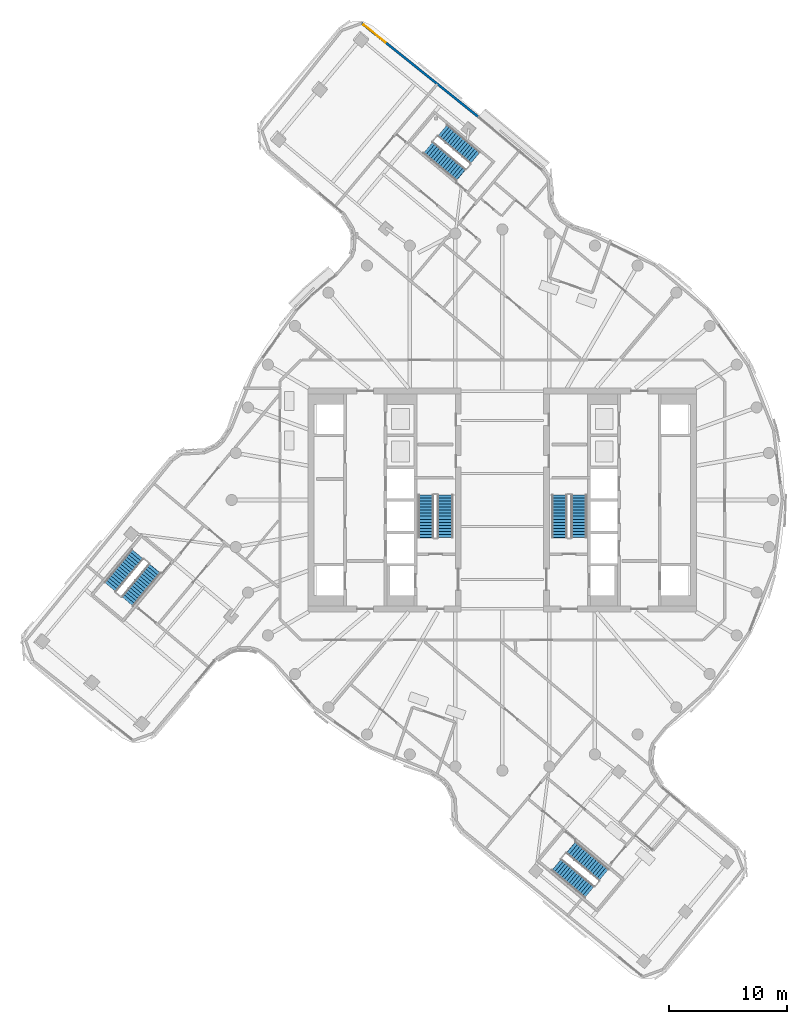
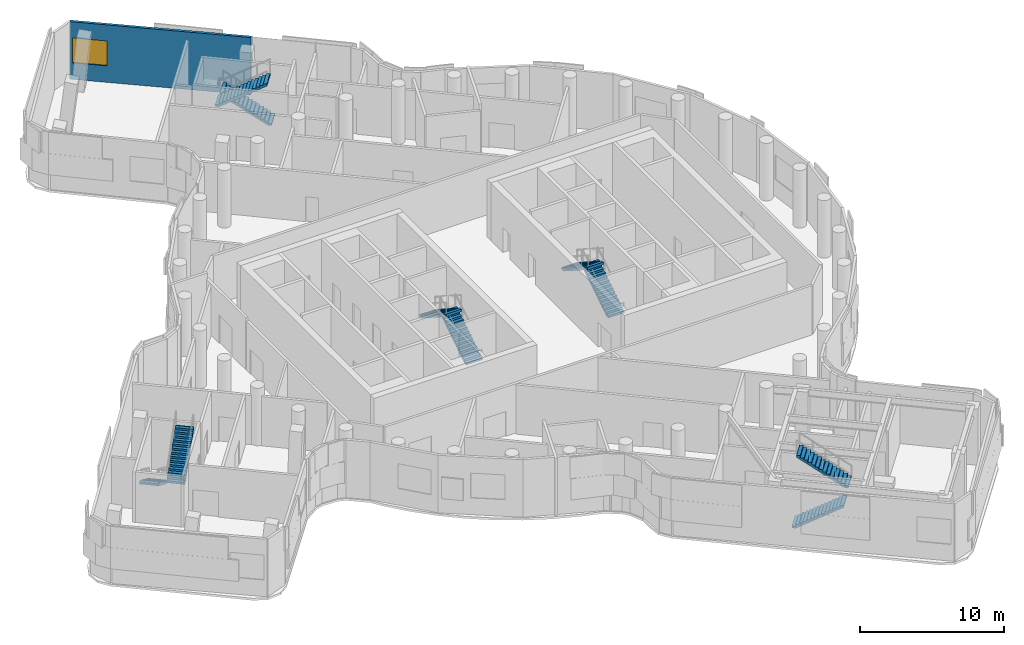
# One storey, part 12 of 19: 10 stair flights, 1 wall, 1 window, 1 opening, 5 elements without a shape of their own.
"""IFC4 building model written with IfcOpenShell, lengths in metres."""

from ifc_helpers import new_model, si_unit, direction, frame, frame_2d, origin, place, context, subcontext, project, spatial, polyline, rectangle, outline, extrude, material, layer, layer_set, type_object, element, fill, aggregate, save


model = new_model("IFC4")

# Units and contexts
model_context = context("Model", 3, precision=1e-05, world=origin(), true_north=direction((0.0, 1.0)))
body_context = subcontext(model_context, "Body", "Model", "MODEL_VIEW")
ifc_project = project(units=[si_unit("LENGTHUNIT", "METRE"), si_unit("AREAUNIT", "SQUARE_METRE"), si_unit("VOLUMEUNIT", "CUBIC_METRE"), si_unit("PLANEANGLEUNIT", "RADIAN"), si_unit("MASSUNIT", "GRAM", prefix="KILO")], contexts=[model_context])

# Site, building, storey
site_placement = place(None, origin())
site = spatial("IfcSite", under=ifc_project, at=site_placement, CompositionType="ELEMENT")
building_placement = place(site_placement, origin())
building = spatial("IfcBuilding", under=site, at=building_placement, Name="Tamarind Cross Interchange Tower", CompositionType="ELEMENT")
storey_placement = place(building_placement, frame((0.0, 0.0, 214.89990234375)))
storey = spatial("IfcBuildingStorey", under=building, at=storey_placement, Name="L54", CompositionType="ELEMENT", Elevation=214.89990234375)

# Wall, opening, window
ifc_material_1 = material(Name="Precast concrete C40", Category="concrete")
ifc_layer = layer(ifc_material_1, 0.199951171875)
ifc_layer_set = layer_set([ifc_layer], Name="Precast concrete C40")
wall_type = type_object("IfcWallType", Name="Refuge level external wall", PredefinedType="SOLIDWALL", material=ifc_layer_set)
wall_placement = place(storey_placement, frame((-2.050537109375, 32.568603515625, 0.0), z_axis=(0.0, 0.0, 1.0), x_axis=(-0.780052154806, 0.625714500218, 0.0)))
wall = element("IfcWall", 1, at=wall_placement, inside=storey, type_object=wall_type, Name="RFW-L54-07-00", PredefinedType="SOLIDWALL", context=body_context, shape_type="SweptSolid", body=[
    extrude(rectangle(XDim=12.697509765625, YDim=0.199951171875, at=frame_2d((6.3486328125, 0.0))), origin(), (0.0, 0.0, 1.0), 4.860107421875),
])
opening_placement = place(wall_placement, frame((10.09765625, 0.0, 1.39990234375)))
opening = element("IfcOpeningElement", 2, at=opening_placement, cuts=wall, Name="Opening W3", PredefinedType="OPENING", context=body_context, shape_type="SweptSolid", body=[
    extrude(rectangle(XDim=2.39990234375, YDim=2.10009765625, at=frame_2d((1.199951171875, 1.050048828125))), frame((0.0, 0.10986328125, 0.0), z_axis=(0.0, -1.0, 0.0), x_axis=(1.0, 0.0, 0.0)), (0.0, 0.0, 1.0), 0.219970703125),
])
ifc_material_2 = material(Name="Aluminium and fire-resisting glass", Category="aluminium")
window_type = type_object("IfcWindowType", Name="Refuge rescue window", PartitioningType="DOUBLE_PANEL_VERTICAL", PredefinedType="WINDOW", material=ifc_material_2)
window_placement = place(opening_placement, origin())
window = element("IfcWindow", 3, at=window_placement, inside=storey, type_object=window_type, Name="RSW-L54-07-04", OverallHeight=2.10009765625, OverallWidth=2.39990234375, PartitioningType="SINGLE_PANEL", PredefinedType="WINDOW", context=body_context, shape_type="SweptSolid", body=[
    extrude(rectangle(XDim=2.39990234375, YDim=2.10009765625, at=frame_2d((1.199951171875, 1.050048828125))), frame((0.0, 0.030029296875, 0.0), z_axis=(0.0, -1.0, 0.0), x_axis=(1.0, 0.0, 0.0)), (0.0, 0.0, 1.0), 0.06005859375),
])
fill(opening, window)

# Stair, stair flights
ifc_material_3 = material(Name="Exit stair")
stair_type = type_object("IfcStairType", Name="Exit stair", PredefinedType="HALF_TURN_STAIR", material=ifc_material_3)
stair_1_placement = place(storey_placement, origin())
stair_1 = element("IfcStair", 4, at=stair_1_placement, inside=storey, type_object=stair_type, Name="L54 exit stair ST1", PredefinedType="HALF_TURN_STAIR")
ifc_material_4 = material(Name="Exit stair flight")
stair_flight_type = type_object("IfcStairFlightType", Name="Exit stair flight", PredefinedType="STRAIGHT", material=ifc_material_4)
stair_flight_1_placement = place(storey_placement, frame((-4.85009765625, -3.199951171875, 0.0), z_axis=(0.0, 0.0, 1.0), x_axis=(0.0, 1.0, 0.0)))
stair_flight_1 = element("IfcStairFlight", 5, at=stair_flight_1_placement, type_object=stair_flight_type, Name="ST1 flight 1", NumberOfRisers=15, NumberOfTreads=14, PredefinedType="STRAIGHT", RiserHeight=0.166666667, TreadLength=0.26, context=body_context, shape_type="SweptSolid", body=[
    extrude(outline(polyline([(0.0, 0.0), (0.0, 0.166748046875), (0.260009765625, 0.166748046875), (0.260009765625, 0.333251953125), (0.52001953125, 0.333251953125), (0.52001953125, 0.5), (0.780029296875, 0.5), (0.780029296875, 0.666748046875), (1.0400390625, 0.666748046875), (1.0400390625, 0.833251953125), (1.300048828125, 0.833251953125), (1.300048828125, 1.0), (1.56005859375, 1.0), (1.56005859375, 1.166748046875), (1.820068359375, 1.166748046875), (1.820068359375, 1.333251953125), (2.080078125, 1.333251953125), (2.080078125, 1.5), (2.340087890625, 1.5), (2.340087890625, 1.666748046875), (2.60009765625, 1.666748046875), (2.60009765625, 1.833251953125), (2.860107421875, 1.833251953125), (2.860107421875, 2.0), (3.1201171875, 2.0), (3.1201171875, 2.166748046875), (3.3798828125, 2.166748046875), (3.3798828125, 2.333251953125), (3.639892578125, 2.333251953125), (3.639892578125, 2.5), (3.639892578125, 2.1552734375), (0.27783203125, 0.0), (0.0, 0.0)])), frame((0.0, 0.64990234375, 0.0), z_axis=(0.0, -1.0, 0.0), x_axis=(1.0, 0.0, 0.0)), (0.0, 0.0, 1.0), 1.300048828125),
])
stair_flight_2_placement = place(storey_placement, frame((-6.5, 0.43994140625, 2.5), z_axis=(0.0, 0.0, 1.0), x_axis=(0.0, -1.0, 0.0)))
stair_flight_2 = element("IfcStairFlight", 6, at=stair_flight_2_placement, type_object=stair_flight_type, Name="ST1 flight 2", NumberOfRisers=15, NumberOfTreads=14, PredefinedType="STRAIGHT", RiserHeight=0.166666667, TreadLength=0.26, context=body_context, shape_type="SweptSolid", body=[
    extrude(outline(polyline([(0.0, 0.0), (0.0, 0.166748046875), (0.260009765625, 0.166748046875), (0.260009765625, 0.333251953125), (0.52001953125, 0.333251953125), (0.52001953125, 0.5), (0.780029296875, 0.5), (0.780029296875, 0.666748046875), (1.0400390625, 0.666748046875), (1.0400390625, 0.833251953125), (1.300048828125, 0.833251953125), (1.300048828125, 1.0), (1.56005859375, 1.0), (1.56005859375, 1.166748046875), (1.820068359375, 1.166748046875), (1.820068359375, 1.333251953125), (2.080078125, 1.333251953125), (2.080078125, 1.5), (2.340087890625, 1.5), (2.340087890625, 1.666748046875), (2.60009765625, 1.666748046875), (2.60009765625, 1.833251953125), (2.860107421875, 1.833251953125), (2.860107421875, 2.0), (3.1201171875, 2.0), (3.1201171875, 2.166748046875), (3.3798828125, 2.166748046875), (3.3798828125, 2.333251953125), (3.639892578125, 2.333251953125), (3.639892578125, 2.3798828125), (3.652099609375, 2.3798828125), (3.652099609375, 2.1630859375), (0.27783203125, 0.0), (0.0, 0.0)])), frame((0.0, 0.64990234375, 0.0), z_axis=(0.0, -1.0, 0.0), x_axis=(1.0, 0.0, 0.0)), (0.0, 0.0, 1.0), 1.300048828125),
])
aggregate(stair_1, [stair_flight_1, stair_flight_2])

stair_2_placement = place(storey_placement, origin())
stair_2 = element("IfcStair", 7, at=stair_2_placement, inside=storey, type_object=stair_type, Name="L54 exit stair ST2", PredefinedType="HALF_TURN_STAIR")
stair_flight_3_placement = place(storey_placement, frame((6.5, -3.199951171875, 0.0), z_axis=(0.0, 0.0, 1.0), x_axis=(0.0, 1.0, 0.0)))
stair_flight_3 = element("IfcStairFlight", 8, at=stair_flight_3_placement, type_object=stair_flight_type, Name="ST2 flight 1", NumberOfRisers=15, NumberOfTreads=14, PredefinedType="STRAIGHT", RiserHeight=0.166666667, TreadLength=0.26, context=body_context, shape_type="SweptSolid", body=[
    extrude(outline(polyline([(0.0, 0.0), (0.0, 0.166748046875), (0.260009765625, 0.166748046875), (0.260009765625, 0.333251953125), (0.52001953125, 0.333251953125), (0.52001953125, 0.5), (0.780029296875, 0.5), (0.780029296875, 0.666748046875), (1.0400390625, 0.666748046875), (1.0400390625, 0.833251953125), (1.300048828125, 0.833251953125), (1.300048828125, 1.0), (1.56005859375, 1.0), (1.56005859375, 1.166748046875), (1.820068359375, 1.166748046875), (1.820068359375, 1.333251953125), (2.080078125, 1.333251953125), (2.080078125, 1.5), (2.340087890625, 1.5), (2.340087890625, 1.666748046875), (2.60009765625, 1.666748046875), (2.60009765625, 1.833251953125), (2.860107421875, 1.833251953125), (2.860107421875, 2.0), (3.1201171875, 2.0), (3.1201171875, 2.166748046875), (3.3798828125, 2.166748046875), (3.3798828125, 2.333251953125), (3.639892578125, 2.333251953125), (3.639892578125, 2.5), (3.639892578125, 2.1552734375), (0.27783203125, 0.0), (0.0, 0.0)])), frame((0.0, 0.64990234375, 0.0), z_axis=(0.0, -1.0, 0.0), x_axis=(1.0, 0.0, 0.0)), (0.0, 0.0, 1.0), 1.300048828125),
])
stair_flight_4_placement = place(storey_placement, frame((4.85009765625, 0.43994140625, 2.5), z_axis=(0.0, 0.0, 1.0), x_axis=(0.0, -1.0, 0.0)))
stair_flight_4 = element("IfcStairFlight", 9, at=stair_flight_4_placement, type_object=stair_flight_type, Name="ST2 flight 2", NumberOfRisers=15, NumberOfTreads=14, PredefinedType="STRAIGHT", RiserHeight=0.166666667, TreadLength=0.26, context=body_context, shape_type="SweptSolid", body=[
    extrude(outline(polyline([(0.0, 0.0), (0.0, 0.166748046875), (0.260009765625, 0.166748046875), (0.260009765625, 0.333251953125), (0.52001953125, 0.333251953125), (0.52001953125, 0.5), (0.780029296875, 0.5), (0.780029296875, 0.666748046875), (1.0400390625, 0.666748046875), (1.0400390625, 0.833251953125), (1.300048828125, 0.833251953125), (1.300048828125, 1.0), (1.56005859375, 1.0), (1.56005859375, 1.166748046875), (1.820068359375, 1.166748046875), (1.820068359375, 1.333251953125), (2.080078125, 1.333251953125), (2.080078125, 1.5), (2.340087890625, 1.5), (2.340087890625, 1.666748046875), (2.60009765625, 1.666748046875), (2.60009765625, 1.833251953125), (2.860107421875, 1.833251953125), (2.860107421875, 2.0), (3.1201171875, 2.0), (3.1201171875, 2.166748046875), (3.3798828125, 2.166748046875), (3.3798828125, 2.333251953125), (3.639892578125, 2.333251953125), (3.639892578125, 2.3798828125), (3.652099609375, 2.3798828125), (3.652099609375, 2.1630859375), (0.27783203125, 0.0), (0.0, 0.0)])), frame((0.0, 0.64990234375, 0.0), z_axis=(0.0, -1.0, 0.0), x_axis=(1.0, 0.0, 0.0)), (0.0, 0.0, 1.0), 1.300048828125),
])
aggregate(stair_2, [stair_flight_3, stair_flight_4])

stair_3_placement = place(storey_placement, origin())
stair_3 = element("IfcStair", 10, at=stair_3_placement, inside=storey, type_object=stair_type, Name="L54 exit stair ST4", PredefinedType="HALF_TURN_STAIR")
stair_flight_5_placement = place(storey_placement, frame((-2.3056640625, 29.0693359375, 0.0), z_axis=(0.0, 0.0, 1.0), x_axis=(-0.767729103501, 0.640774549773, 0.0)))
stair_flight_5 = element("IfcStairFlight", 11, at=stair_flight_5_placement, type_object=stair_flight_type, Name="ST4 flight 1", NumberOfRisers=15, NumberOfTreads=14, PredefinedType="STRAIGHT", RiserHeight=0.166666667, TreadLength=0.26, context=body_context, shape_type="SweptSolid", body=[
    extrude(outline(polyline([(0.0, 0.0), (0.0, 0.166748046875), (0.260009765625, 0.166748046875), (0.260009765625, 0.333251953125), (0.52001953125, 0.333251953125), (0.52001953125, 0.5), (0.780029296875, 0.5), (0.780029296875, 0.666748046875), (1.0400390625, 0.666748046875), (1.0400390625, 0.833251953125), (1.300048828125, 0.833251953125), (1.300048828125, 1.0), (1.56005859375, 1.0), (1.56005859375, 1.166748046875), (1.820068359375, 1.166748046875), (1.820068359375, 1.333251953125), (2.080078125, 1.333251953125), (2.080078125, 1.5), (2.340087890625, 1.5), (2.340087890625, 1.666748046875), (2.60009765625, 1.666748046875), (2.60009765625, 1.833251953125), (2.860107421875, 1.833251953125), (2.860107421875, 2.0), (3.1201171875, 2.0), (3.1201171875, 2.166748046875), (3.3798828125, 2.166748046875), (3.3798828125, 2.333251953125), (3.639892578125, 2.333251953125), (3.639892578125, 2.5), (3.639892578125, 2.1552734375), (0.27783203125, 0.0), (0.0, 0.0)])), frame((0.0, 0.64990234375, 0.0), z_axis=(0.0, -1.0, 0.0), x_axis=(1.0, 0.0, 0.0)), (0.0, 0.0, 1.0), 1.300048828125),
])
stair_flight_6_placement = place(storey_placement, frame((-6.317626953125, 29.943115234375, 2.5), z_axis=(0.0, 0.0, 1.0), x_axis=(0.767729103501, -0.640774549773, 0.0)))
stair_flight_6 = element("IfcStairFlight", 12, at=stair_flight_6_placement, type_object=stair_flight_type, Name="ST4 flight 2", NumberOfRisers=15, NumberOfTreads=14, PredefinedType="STRAIGHT", RiserHeight=0.166666667, TreadLength=0.26, context=body_context, shape_type="SweptSolid", body=[
    extrude(outline(polyline([(0.0, 0.0), (0.0, 0.166748046875), (0.260009765625, 0.166748046875), (0.260009765625, 0.333251953125), (0.52001953125, 0.333251953125), (0.52001953125, 0.5), (0.780029296875, 0.5), (0.780029296875, 0.666748046875), (1.0400390625, 0.666748046875), (1.0400390625, 0.833251953125), (1.300048828125, 0.833251953125), (1.300048828125, 1.0), (1.56005859375, 1.0), (1.56005859375, 1.166748046875), (1.820068359375, 1.166748046875), (1.820068359375, 1.333251953125), (2.080078125, 1.333251953125), (2.080078125, 1.5), (2.340087890625, 1.5), (2.340087890625, 1.666748046875), (2.60009765625, 1.666748046875), (2.60009765625, 1.833251953125), (2.860107421875, 1.833251953125), (2.860107421875, 2.0), (3.1201171875, 2.0), (3.1201171875, 2.166748046875), (3.3798828125, 2.166748046875), (3.3798828125, 2.333251953125), (3.639892578125, 2.333251953125), (3.639892578125, 2.3798828125), (3.652099609375, 2.3798828125), (3.652099609375, 2.1630859375), (0.27783203125, 0.0), (0.0, 0.0)])), frame((0.0, 0.64990234375, 0.0), z_axis=(0.0, -1.0, 0.0), x_axis=(1.0, 0.0, 0.0)), (0.0, 0.0, 1.0), 1.300048828125),
])
aggregate(stair_3, [stair_flight_5, stair_flight_6])

stair_4_placement = place(storey_placement, origin())
stair_4 = element("IfcStair", 13, at=stair_4_placement, inside=storey, type_object=stair_type, Name="L54 exit stair ST5", PredefinedType="HALF_TURN_STAIR")
stair_flight_7_placement = place(storey_placement, frame((-30.99169921875, -4.60888671875, 0.0), z_axis=(0.0, 0.0, 1.0), x_axis=(-0.640774549773, -0.767729103501, 0.0)))
stair_flight_7 = element("IfcStairFlight", 14, at=stair_flight_7_placement, type_object=stair_flight_type, Name="ST5 flight 1", NumberOfRisers=15, NumberOfTreads=14, PredefinedType="STRAIGHT", RiserHeight=0.166666667, TreadLength=0.26, context=body_context, shape_type="SweptSolid", body=[
    extrude(outline(polyline([(0.0, 0.0), (0.0, 0.166748046875), (0.260009765625, 0.166748046875), (0.260009765625, 0.333251953125), (0.52001953125, 0.333251953125), (0.52001953125, 0.5), (0.780029296875, 0.5), (0.780029296875, 0.666748046875), (1.0400390625, 0.666748046875), (1.0400390625, 0.833251953125), (1.300048828125, 0.833251953125), (1.300048828125, 1.0), (1.56005859375, 1.0), (1.56005859375, 1.166748046875), (1.820068359375, 1.166748046875), (1.820068359375, 1.333251953125), (2.080078125, 1.333251953125), (2.080078125, 1.5), (2.340087890625, 1.5), (2.340087890625, 1.666748046875), (2.60009765625, 1.666748046875), (2.60009765625, 1.833251953125), (2.860107421875, 1.833251953125), (2.860107421875, 2.0), (3.1201171875, 2.0), (3.1201171875, 2.166748046875), (3.3798828125, 2.166748046875), (3.3798828125, 2.333251953125), (3.639892578125, 2.333251953125), (3.639892578125, 2.5), (3.639892578125, 2.1552734375), (0.27783203125, 0.0), (0.0, 0.0)])), frame((0.0, 0.64990234375, 0.0), z_axis=(0.0, -1.0, 0.0), x_axis=(1.0, 0.0, 0.0)), (0.0, 0.0, 1.0), 1.300048828125),
])
stair_flight_8_placement = place(storey_placement, frame((-31.865478515625, -8.620849609375, 2.5), z_axis=(0.0, 0.0, 1.0), x_axis=(0.640774549773, 0.767729103501, 0.0)))
stair_flight_8 = element("IfcStairFlight", 15, at=stair_flight_8_placement, type_object=stair_flight_type, Name="ST5 flight 2", NumberOfRisers=15, NumberOfTreads=14, PredefinedType="STRAIGHT", RiserHeight=0.166666667, TreadLength=0.26, context=body_context, shape_type="SweptSolid", body=[
    extrude(outline(polyline([(0.0, 0.0), (0.0, 0.166748046875), (0.260009765625, 0.166748046875), (0.260009765625, 0.333251953125), (0.52001953125, 0.333251953125), (0.52001953125, 0.5), (0.780029296875, 0.5), (0.780029296875, 0.666748046875), (1.0400390625, 0.666748046875), (1.0400390625, 0.833251953125), (1.300048828125, 0.833251953125), (1.300048828125, 1.0), (1.56005859375, 1.0), (1.56005859375, 1.166748046875), (1.820068359375, 1.166748046875), (1.820068359375, 1.333251953125), (2.080078125, 1.333251953125), (2.080078125, 1.5), (2.340087890625, 1.5), (2.340087890625, 1.666748046875), (2.60009765625, 1.666748046875), (2.60009765625, 1.833251953125), (2.860107421875, 1.833251953125), (2.860107421875, 2.0), (3.1201171875, 2.0), (3.1201171875, 2.166748046875), (3.3798828125, 2.166748046875), (3.3798828125, 2.333251953125), (3.639892578125, 2.333251953125), (3.639892578125, 2.3798828125), (3.652099609375, 2.3798828125), (3.652099609375, 2.1630859375), (0.27783203125, 0.0), (0.0, 0.0)])), frame((0.0, 0.64990234375, 0.0), z_axis=(0.0, -1.0, 0.0), x_axis=(1.0, 0.0, 0.0)), (0.0, 0.0, 1.0), 1.300048828125),
])
aggregate(stair_4, [stair_flight_7, stair_flight_8])

stair_5_placement = place(storey_placement, origin())
stair_5 = element("IfcStair", 16, at=stair_5_placement, inside=storey, type_object=stair_type, Name="L54 exit stair ST6", PredefinedType="HALF_TURN_STAIR")
stair_flight_9_placement = place(storey_placement, frame((4.60888671875, -30.99169921875, 0.0), z_axis=(0.0, 0.0, 1.0), x_axis=(0.767729103501, -0.640774549773, 0.0)))
stair_flight_9 = element("IfcStairFlight", 17, at=stair_flight_9_placement, type_object=stair_flight_type, Name="ST6 flight 1", NumberOfRisers=15, NumberOfTreads=14, PredefinedType="STRAIGHT", RiserHeight=0.166666667, TreadLength=0.26, context=body_context, shape_type="SweptSolid", body=[
    extrude(outline(polyline([(0.0, 0.0), (0.0, 0.166748046875), (0.260009765625, 0.166748046875), (0.260009765625, 0.333251953125), (0.52001953125, 0.333251953125), (0.52001953125, 0.5), (0.780029296875, 0.5), (0.780029296875, 0.666748046875), (1.0400390625, 0.666748046875), (1.0400390625, 0.833251953125), (1.300048828125, 0.833251953125), (1.300048828125, 1.0), (1.56005859375, 1.0), (1.56005859375, 1.166748046875), (1.820068359375, 1.166748046875), (1.820068359375, 1.333251953125), (2.080078125, 1.333251953125), (2.080078125, 1.5), (2.340087890625, 1.5), (2.340087890625, 1.666748046875), (2.60009765625, 1.666748046875), (2.60009765625, 1.833251953125), (2.860107421875, 1.833251953125), (2.860107421875, 2.0), (3.1201171875, 2.0), (3.1201171875, 2.166748046875), (3.3798828125, 2.166748046875), (3.3798828125, 2.333251953125), (3.639892578125, 2.333251953125), (3.639892578125, 2.5), (3.639892578125, 2.1552734375), (0.27783203125, 0.0), (0.0, 0.0)])), frame((0.0, 0.64990234375, 0.0), z_axis=(0.0, -1.0, 0.0), x_axis=(1.0, 0.0, 0.0)), (0.0, 0.0, 1.0), 1.300048828125),
])
stair_flight_10_placement = place(storey_placement, frame((8.620849609375, -31.865478515625, 2.5), z_axis=(0.0, 0.0, 1.0), x_axis=(-0.767729103501, 0.640774549773, 0.0)))
stair_flight_10 = element("IfcStairFlight", 18, at=stair_flight_10_placement, type_object=stair_flight_type, Name="ST6 flight 2", NumberOfRisers=15, NumberOfTreads=14, PredefinedType="STRAIGHT", RiserHeight=0.166666667, TreadLength=0.26, context=body_context, shape_type="SweptSolid", body=[
    extrude(outline(polyline([(0.0, 0.0), (0.0, 0.166748046875), (0.260009765625, 0.166748046875), (0.260009765625, 0.333251953125), (0.52001953125, 0.333251953125), (0.52001953125, 0.5), (0.780029296875, 0.5), (0.780029296875, 0.666748046875), (1.0400390625, 0.666748046875), (1.0400390625, 0.833251953125), (1.300048828125, 0.833251953125), (1.300048828125, 1.0), (1.56005859375, 1.0), (1.56005859375, 1.166748046875), (1.820068359375, 1.166748046875), (1.820068359375, 1.333251953125), (2.080078125, 1.333251953125), (2.080078125, 1.5), (2.340087890625, 1.5), (2.340087890625, 1.666748046875), (2.60009765625, 1.666748046875), (2.60009765625, 1.833251953125), (2.860107421875, 1.833251953125), (2.860107421875, 2.0), (3.1201171875, 2.0), (3.1201171875, 2.166748046875), (3.3798828125, 2.166748046875), (3.3798828125, 2.333251953125), (3.639892578125, 2.333251953125), (3.639892578125, 2.3798828125), (3.652099609375, 2.3798828125), (3.652099609375, 2.1630859375), (0.27783203125, 0.0), (0.0, 0.0)])), frame((0.0, 0.64990234375, 0.0), z_axis=(0.0, -1.0, 0.0), x_axis=(1.0, 0.0, 0.0)), (0.0, 0.0, 1.0), 1.300048828125),
])
aggregate(stair_5, [stair_flight_9, stair_flight_10])

save(model, "model.ifc")
